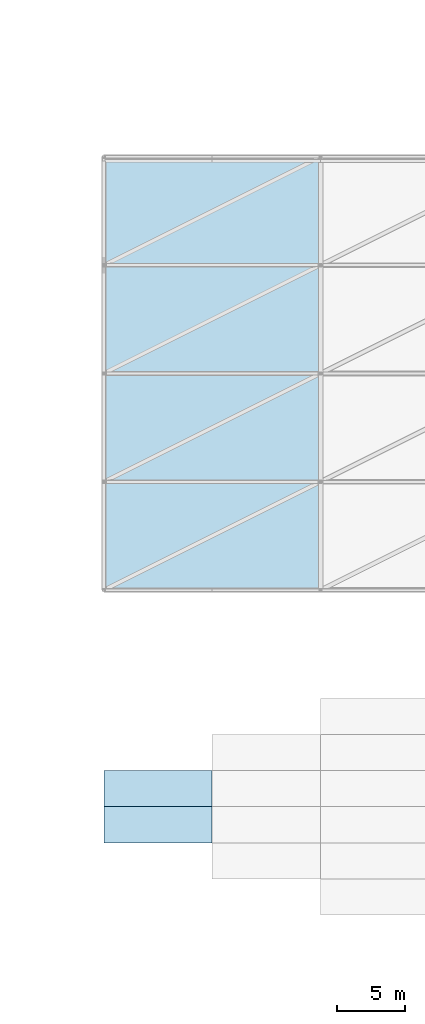
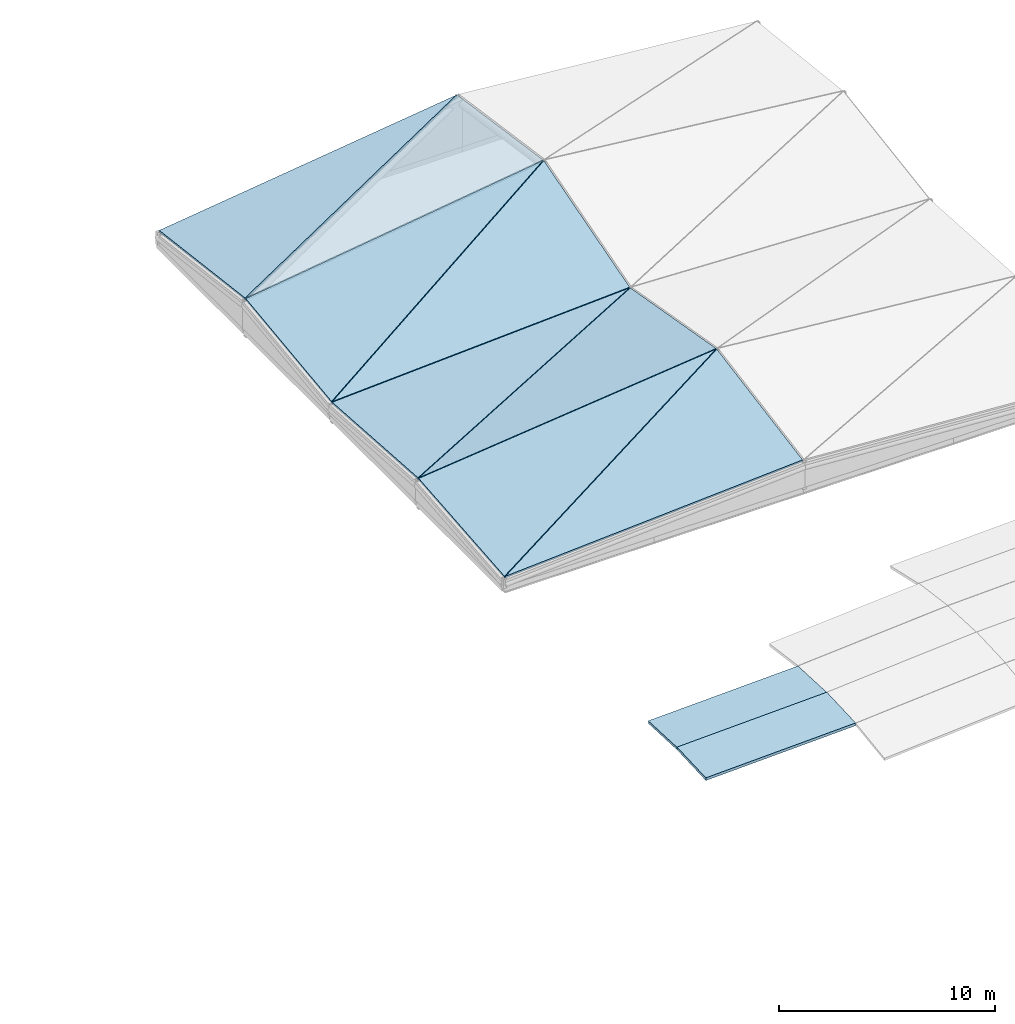
# One storey, part 32 of 44: 10 slabs.
"""IFC4 building model written with IfcOpenShell, lengths in metres."""

from ifc_helpers import new_model, si_unit, direction, frame, origin, place, context, subcontext, project, spatial, polyline, outline, extrude, material, layer, layer_set, type_object, element, save


model = new_model("IFC4")

# Units and contexts
model_context = context("Model", 3, precision=1e-05, world=origin(), true_north=direction((0.0, 1.0)))
body_context = subcontext(model_context, "Body", "Model", "MODEL_VIEW")
ifc_project = project(units=[si_unit("LENGTHUNIT", "METRE"), si_unit("AREAUNIT", "SQUARE_METRE"), si_unit("VOLUMEUNIT", "CUBIC_METRE"), si_unit("PLANEANGLEUNIT", "RADIAN"), si_unit("MASSUNIT", "GRAM", prefix="KILO")], contexts=[model_context])

# Site, building, storey
site_placement = place(None, origin())
site = spatial("IfcSite", under=ifc_project, at=site_placement, CompositionType="ELEMENT")
building_placement = place(site_placement, origin())
building = spatial("IfcBuilding", under=site, at=building_placement, Name="Tenunan Teduh Sports Hall", CompositionType="ELEMENT")
storey_placement = place(building_placement, frame((0.0, 0.0, 19.199951171875)))
storey = spatial("IfcBuildingStorey", under=building, at=storey_placement, Name="L04", CompositionType="ELEMENT", Elevation=19.199951171875)

# Slabs
ifc_material_1 = material(Name="Concrete C40/50", Category="concrete")
ifc_layer_1 = layer(ifc_material_1, 0.1298828125)
ifc_layer_set_1 = layer_set([ifc_layer_1], Name="Concrete C40/50")
slab_type_1 = type_object("IfcSlabType", Name="SLB-ROOF-130", PredefinedType="ROOF", material=ifc_layer_set_1)
slab_1_placement = place(storey_placement, frame((122.085205078125, 46.021240234375, 0.18701171875), z_axis=(-0.062728439439, -0.178352374886, 0.981965158882), x_axis=(0.997965863386, 0.0, 0.063750572673)))
element("IfcSlab", 1, at=slab_1_placement, inside=storey, type_object=slab_type_1, Name="Crystalline Climbing Hall Roof Facet 1", PredefinedType="ROOF", context=body_context, shape_type="SweptSolid", body=[
    extrude(outline(polyline([(0.0, 0.0), (15.904422079776579, -2.7755575615628914e-17), (15.996312553669076, 8.065349472873624), (0.0, 0.0)])), origin(), (0.0, 0.0, -1.0), 0.1298828125),
])
slab_2_placement = place(storey_placement, frame((122.042724609375, 46.042724609375, 0.1865234375), z_axis=(-0.108507851453, -0.089273407048, 0.990078938756), x_axis=(0.885988248374, 0.442994124187, 0.137043896906)))
element("IfcSlab", 2, at=slab_2_placement, inside=storey, type_object=slab_type_1, Name="Crystalline Climbing Hall Roof Facet 2", PredefinedType="ROOF", context=body_context, shape_type="SweptSolid", body=[
    extrude(outline(polyline([(0.0, 0.0), (17.914538191257776, 3.3306690738754696e-16), (3.613682290686631, 7.101690190438406), (0.0, 0.0)])), origin(), (0.0, 0.0, -1.0), 0.1298828125),
])
slab_3_placement = place(storey_placement, frame((122.085205078125, 54.021240234375, 0.904296875), z_axis=(-0.107324596189, 0.171719353903, 0.979282336483), x_axis=(0.994048015418, 0.0, 0.108942843011)))
element("IfcSlab", 3, at=slab_3_placement, inside=storey, type_object=slab_type_1, Name="Crystalline Climbing Hall Roof Facet 5", PredefinedType="ROOF", context=body_context, shape_type="SweptSolid", body=[
    extrude(outline(polyline([(0.0, 0.0), (15.96710628291393, -5.551115123125783e-17), (15.815501252356146, 8.055695179480042), (0.0, 0.0)])), origin(), (0.0, 0.0, -1.0), 0.1298828125),
])
slab_4_placement = place(storey_placement, frame((122.042724609375, 54.042724609375, 0.899658203125), z_axis=(-0.056136942195, 0.068608413523, 0.996063014731), x_axis=(0.894255351702, 0.447127675851, 0.019601210179)))
element("IfcSlab", 4, at=slab_4_placement, inside=storey, type_object=slab_type_1, Name="Crystalline Climbing Hall Roof Facet 6", PredefinedType="ROOF", context=body_context, shape_type="SweptSolid", body=[
    extrude(outline(polyline([(0.0, 0.0), (17.748924043106864, -2.1163626406917047e-16), (3.537706328520665, 7.1248925066138264), (0.0, 0.0)])), origin(), (0.0, 0.0, -1.0), 0.1298828125),
])
slab_5_placement = place(storey_placement, frame((122.085205078125, 62.021240234375, 0.3583984375), z_axis=(-0.053986529677, -0.281955849318, 0.957907278211), x_axis=(0.998415614748, 0.0, 0.05626953197)))
element("IfcSlab", 5, at=slab_5_placement, inside=storey, type_object=slab_type_1, Name="Crystalline Climbing Hall Roof Facet 9", PredefinedType="ROOF", context=body_context, shape_type="SweptSolid", body=[
    extrude(outline(polyline([(0.0, 0.0), (15.89725769314225, 0.0), (16.02869980297848, 8.27163714006508), (0.0, 0.0)])), origin(), (0.0, 0.0, -1.0), 0.1298828125),
])
slab_6_placement = place(storey_placement, frame((122.042724609375, 62.042724609375, 0.358642578125), z_axis=(-0.138473194616, -0.123070489091, 0.982689589386), x_axis=(0.879964967337, 0.439982483669, 0.179100726755)))
element("IfcSlab", 6, at=slab_6_placement, inside=storey, type_object=slab_type_1, Name="Crystalline Climbing Hall Roof Facet 10", PredefinedType="ROOF", context=body_context, shape_type="SweptSolid", body=[
    extrude(outline(polyline([(0.0, 0.0), (18.037161593524253, -3.608224830031759e-16), (3.6697240411988363, 7.106448457868124), (0.0, 0.0)])), origin(), (0.0, 0.0, -1.0), 0.1298828125),
])
slab_7_placement = place(storey_placement, frame((122.085205078125, 70.021240234375, 1.356689453125), z_axis=(-0.138136022978, 0.141197000237, 0.980296815398), x_axis=(0.990217288912, 0.0, 0.139533941176)))
element("IfcSlab", 7, at=slab_7_placement, inside=storey, type_object=slab_type_1, Name="Crystalline Climbing Hall Roof Facet 13", PredefinedType="ROOF", context=body_context, shape_type="SweptSolid", body=[
    extrude(outline(polyline([(0.0, 0.0), (16.02887617720927, 5.551115123125783e-17), (15.86937961651954, 8.016346777520383), (0.0, 0.0)])), origin(), (0.0, 0.0, -1.0), 0.1298828125),
])
slab_8_placement = place(storey_placement, frame((122.042724609375, 70.042724609375, 1.350341796875), z_axis=(-0.12939719937, 0.123252724172, 0.983903008827), x_axis=(0.8927346002, 0.4463673001, 0.061491194544)))
element("IfcSlab", 8, at=slab_8_placement, inside=storey, type_object=slab_type_1, Name="Crystalline Climbing Hall Roof Facet 14", PredefinedType="ROOF", context=body_context, shape_type="SweptSolid", body=[
    extrude(outline(polyline([(0.0, 0.0), (17.779158900011666, 3.885780586188048e-16), (3.4812556916192845, 7.200682494950024), (0.0, 0.0)])), origin(), (0.0, 0.0, -1.0), 0.1298828125),
])
ifc_material_2 = material(Name="Concrete C40/50", Category="concrete")
ifc_layer_2 = layer(ifc_material_2, 0.14501953125)
ifc_layer_set_2 = layer_set([ifc_layer_2], Name="Concrete C40/50")
slab_type_2 = type_object("IfcSlabType", Name="SLB-ROOF-145", PredefinedType="ROOF", material=ifc_layer_set_2)
slab_9_placement = place(storey_placement, frame((122.0, 30.0, 0.26904296875), z_axis=(-0.037562918765, 0.045325872671, 0.998265792462), x_axis=(0.999292811149, 0.0, 0.037601563603)))
element("IfcSlab", 9, at=slab_9_placement, inside=storey, type_object=slab_type_2, Name="Doubly-Curved Gridshell Roof Facet V1-1-8", PredefinedType="ROOF", context=body_context, shape_type="SweptSolid", body=[
    extrude(outline(polyline([(0.0, 0.0), (8.00566151456586, 0.0), (8.001108200223294, 2.669735996649031), (-0.004553314342565341, 2.669735996649031), (0.0, 0.0)])), origin(), (0.0, 0.0, -1.0), 0.14501953125),
])
ifc_material_3 = material(Name="Concrete C40/50", Category="concrete")
ifc_layer_3 = layer(ifc_material_3, 0.159912109375)
ifc_layer_set_3 = layer_set([ifc_layer_3], Name="Concrete C40/50")
slab_type_3 = type_object("IfcSlabType", Name="SLB-ROOF-160", PredefinedType="ROOF", material=ifc_layer_set_3)
slab_10_placement = place(storey_placement, frame((122.0, 27.3330078125, 0.1630859375), z_axis=(-0.037563074195, -0.045234677037, 0.998269923142), x_axis=(0.999292811149, 0.0, 0.037601563603)))
element("IfcSlab", 10, at=slab_10_placement, inside=storey, type_object=slab_type_3, Name="Doubly-Curved Gridshell Roof Facet V1-1-7", PredefinedType="ROOF", context=body_context, shape_type="SweptSolid", body=[
    extrude(outline(polyline([(0.0, 0.0), (8.00566151456586, 0.0), (8.010205648839186, 2.6697249497122053), (0.004544134273326297, 2.669724949712205), (0.0, 0.0)])), origin(), (0.0, 0.0, -1.0), 0.159912109375),
])

save(model, "model.ifc")
